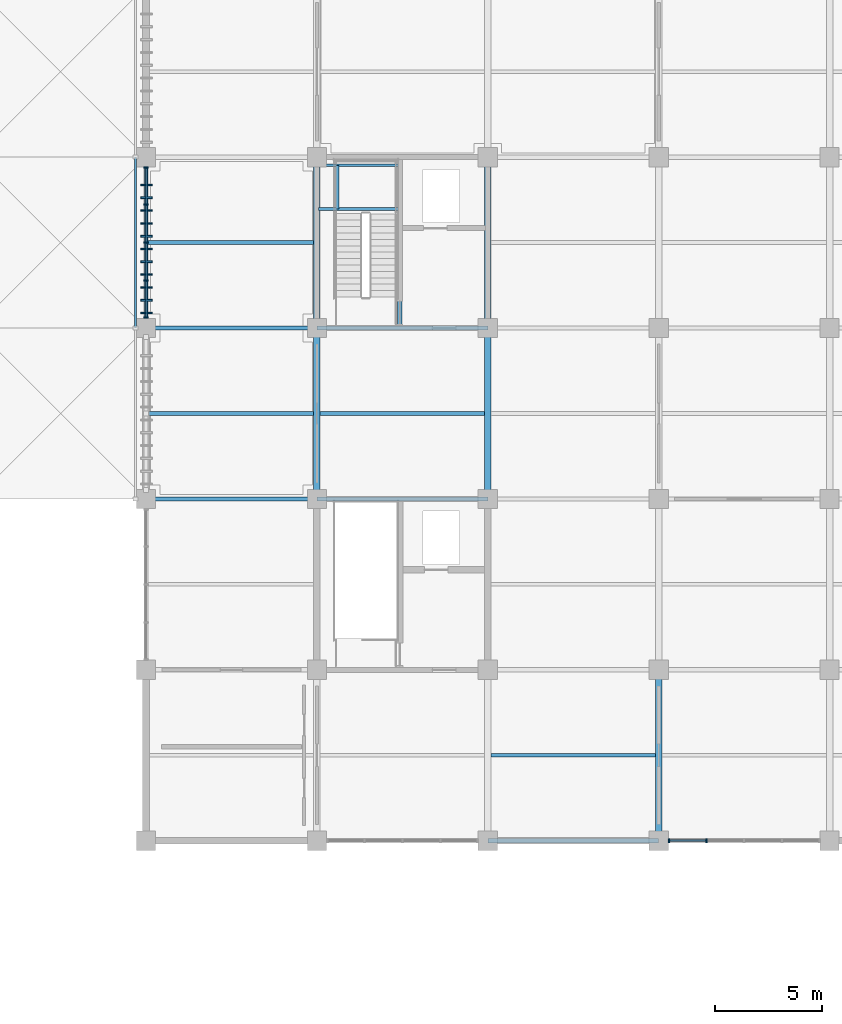
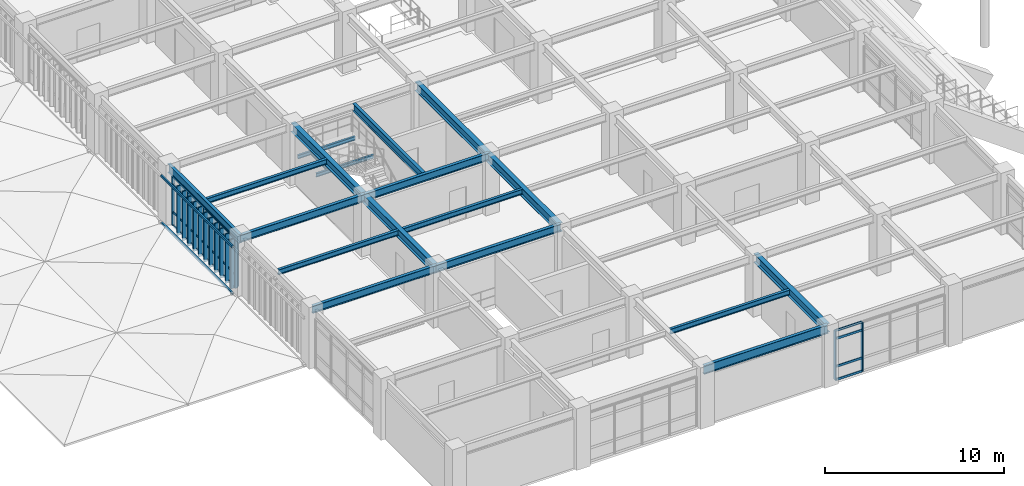
# One storey, part 18 of 118: 40 members, 19 beams, 2 elements without a shape of their own.
"""IFC4 building model written with IfcOpenShell, lengths in metres."""

from ifc_helpers import new_model, si_unit, direction, frame, origin, origin_2d, place, context, subcontext, project, spatial, rectangle, hollow_rectangle, i_section, extrude, material, layer, layer_set, material_profile, profile_set, type_object, element, aggregate, save


model = new_model("IFC4")

# Units and contexts
model_context = context("Model", 3, precision=1e-05, world=origin(), true_north=direction((0.0, 1.0)))
body_context = subcontext(model_context, "Body", "Model", "MODEL_VIEW")
ifc_project = project(units=[si_unit("LENGTHUNIT", "METRE"), si_unit("AREAUNIT", "SQUARE_METRE"), si_unit("VOLUMEUNIT", "CUBIC_METRE"), si_unit("PLANEANGLEUNIT", "RADIAN"), si_unit("MASSUNIT", "GRAM", prefix="KILO")], contexts=[model_context])

# Site, building, storey
site_placement = place(None, origin())
site = spatial("IfcSite", under=ifc_project, at=site_placement, CompositionType="ELEMENT")
building_placement = place(site_placement, origin())
building = spatial("IfcBuilding", under=site, at=building_placement, Name="Haebicheon Civic Stadium", CompositionType="ELEMENT")
storey_placement = place(building_placement, frame((0.0, 0.0, 14.39990234375)))
storey = spatial("IfcBuildingStorey", under=building, at=storey_placement, Name="L04", CompositionType="ELEMENT", Elevation=14.39990234375)

# Beams
ifc_material_1 = material(Name="Steel SM355 (S355)", Category="steel")
ifc_material_profile_1 = material_profile(ifc_material_1, i_section(OverallWidth=0.199951171875, OverallDepth=0.5, WebThickness=0.010009765625, FlangeThickness=0.01611328125, at=origin_2d()), Name="H-500x200x10x16")
ifc_profile_set_1 = profile_set([ifc_material_profile_1], Name="Steel SM355 (S355)")
beam_type_1 = type_object("IfcBeamType", Name="BM-ST-H500", PredefinedType="BEAM", material=ifc_profile_set_1)
for number, where, z_axis, x_axis, name in (
    (1, (24.0, 48.0, 3.690185546875), (1.0, 0.0, 0.0), (0.0, 1.0, 0.0), "L04 beam G/4-5"),
    (2, (24.0, 56.0, 3.690185546875), (1.0, 0.0, 0.0), (0.0, 1.0, 0.0), "L04 beam H/4-5"),
    (3, (32.0, 48.0, 3.690185546875), (1.0, 0.0, 0.0), (0.0, 1.0, 0.0), "L04 beam G/5-6"),
    (4, (32.0, 56.0, 3.690185546875), (1.0, 0.0, 0.0), (0.0, 1.0, 0.0), "L04 beam H/5-6"),
):
    element("IfcBeam", number, at=place(storey_placement, frame(where, z_axis=z_axis, x_axis=x_axis)), inside=storey, type_object=beam_type_1, material=ifc_profile_set_1, Name=name, PredefinedType="BEAM", context=body_context, shape_type="SweptSolid", body=[
        extrude(i_section(OverallWidth=0.199951171875, OverallDepth=0.5, WebThickness=0.010009765625, FlangeThickness=0.01611328125, at=origin_2d()), origin(), (0.0, 0.0, 1.0), 8.0),
    ])
beam_1_placement = place(storey_placement, frame((35.8798828125, 56.10009765625, 3.690185546875), z_axis=(0.0, 1.0, 0.0), x_axis=(-1.0, 0.0, 0.0)))
element("IfcBeam", 5, at=beam_1_placement, inside=storey, type_object=beam_type_1, material=ifc_profile_set_1, Name="L04 KC-02 core dividing wall support beam", PredefinedType="BEAM", context=body_context, shape_type="SweptSolid", body=[
    extrude(i_section(OverallWidth=0.199951171875, OverallDepth=0.5, WebThickness=0.010009765625, FlangeThickness=0.01611328125, at=origin_2d()), origin(), (0.0, 0.0, 1.0), 7.7998046875),
])
ifc_material_2 = material(Name="Steel SM355 (S355)", Category="steel")
ifc_material_profile_2 = material_profile(ifc_material_2, i_section(OverallWidth=0.300048828125, OverallDepth=0.60009765625, WebThickness=0.011962890625, FlangeThickness=0.02001953125, at=origin_2d()), Name="H-600x300x12x20")
ifc_profile_set_2 = profile_set([ifc_material_profile_2], Name="Steel SM355 (S355)")
beam_type_2 = type_object("IfcBeamType", Name="BM-ST-H600A", PredefinedType="BEAM", material=ifc_profile_set_2)
for number, where, z_axis, x_axis, name in (
    (6, (32.0, 48.0, 3.64013671875), (0.0, 1.0, 0.0), (-1.0, 0.0, 0.0), "L04 girder 5/G-H"),
    (7, (32.0, 56.0, 3.64013671875), (0.0, 1.0, 0.0), (-1.0, 0.0, 0.0), "L04 girder 5/H-J"),
    (8, (40.0, 48.0, 3.64013671875), (0.0, 1.0, 0.0), (-1.0, 0.0, 0.0), "L04 girder 6/G-H"),
    (9, (40.0, 56.0, 3.64013671875), (0.0, 1.0, 0.0), (-1.0, 0.0, 0.0), "L04 girder 6/H-J"),
    (10, (48.0, 32.0, 3.68017578125), (0.0, 1.0, 0.0), (-1.0, 0.0, 0.0), "L04 girder 7/E-F"),
):
    element("IfcBeam", number, at=place(storey_placement, frame(where, z_axis=z_axis, x_axis=x_axis)), inside=storey, type_object=beam_type_2, material=ifc_profile_set_2, Name=name, PredefinedType="BEAM", context=body_context, shape_type="SweptSolid", body=[
        extrude(i_section(OverallWidth=0.300048828125, OverallDepth=0.60009765625, WebThickness=0.011962890625, FlangeThickness=0.02001953125, at=origin_2d()), origin(), (0.0, 0.0, 1.0), 8.0),
    ])

# Curtain wall, members
ifc_material_3 = material(Name="Anodised aluminium and laminated glass", Category="aluminium")
ifc_layer_1 = layer(ifc_material_3, 0.179931640625, Name="Anodised aluminium and laminated glass")
ifc_layer_set_1 = layer_set([ifc_layer_1], Name="Anodised aluminium and laminated glass")
curtain_wall_type_1 = type_object("IfcCurtainWallType", Name="CW-7100x3330", PredefinedType="NOTDEFINED", material=ifc_layer_set_1)
curtain_wall_1_placement = place(storey_placement, origin())
curtain_wall_1 = element("IfcCurtainWall", 11, at=curtain_wall_1_placement, inside=storey, type_object=curtain_wall_type_1, material=ifc_layer_set_1, Name="L04 unitised curtain wall 106", PredefinedType="NOTDEFINED")
ifc_material_4 = material(Name="Anodised aluminium 6063-T6", Category="aluminium")
ifc_material_profile_3 = material_profile(ifc_material_4, rectangle(XDim=0.070068359375, YDim=0.199951171875, at=origin_2d()), Name="ALU-MULL-70x200")
ifc_profile_set_3 = profile_set([ifc_material_profile_3], Name="Anodised aluminium 6063-T6")
member_type_1 = type_object("IfcMemberType", Name="CWM-200x70", PredefinedType="MULLION", material=ifc_profile_set_3)
member_1_placement = place(storey_placement, frame((24.0, 56.485107421875, 0.0), z_axis=(0.0, 0.0, 1.0), x_axis=(0.0, 1.0, 0.0)))
member_1 = element("IfcMember", 12, at=member_1_placement, type_object=member_type_1, material=ifc_profile_set_3, Name="CW-L04-106 vertical mullion 1", PredefinedType="MULLION", context=body_context, shape_type="SweptSolid", body=[
    extrude(rectangle(XDim=0.070068359375, YDim=0.199951171875, at=origin_2d()), origin(), (0.0, 0.0, 1.0), 3.330078125),
])
member_2_placement = place(storey_placement, frame((24.0, 58.22509765625, 0.0), z_axis=(0.0, 0.0, 1.0), x_axis=(0.0, 1.0, 0.0)))
member_2 = element("IfcMember", 13, at=member_2_placement, type_object=member_type_1, material=ifc_profile_set_3, Name="CW-L04-106 vertical mullion 2", PredefinedType="MULLION", context=body_context, shape_type="SweptSolid", body=[
    extrude(rectangle(XDim=0.070068359375, YDim=0.199951171875, at=origin_2d()), origin(), (0.0, 0.0, 1.0), 3.330078125),
])
member_3_placement = place(storey_placement, frame((24.0, 60.0, 0.0), z_axis=(0.0, 0.0, 1.0), x_axis=(0.0, 1.0, 0.0)))
member_3 = element("IfcMember", 14, at=member_3_placement, type_object=member_type_1, material=ifc_profile_set_3, Name="CW-L04-106 vertical mullion 3", PredefinedType="MULLION", context=body_context, shape_type="SweptSolid", body=[
    extrude(rectangle(XDim=0.070068359375, YDim=0.199951171875, at=origin_2d()), origin(), (0.0, 0.0, 1.0), 3.330078125),
])
member_4_placement = place(storey_placement, frame((24.0, 61.77490234375, 0.0), z_axis=(0.0, 0.0, 1.0), x_axis=(0.0, 1.0, 0.0)))
member_4 = element("IfcMember", 15, at=member_4_placement, type_object=member_type_1, material=ifc_profile_set_3, Name="CW-L04-106 vertical mullion 4", PredefinedType="MULLION", context=body_context, shape_type="SweptSolid", body=[
    extrude(rectangle(XDim=0.070068359375, YDim=0.199951171875, at=origin_2d()), origin(), (0.0, 0.0, 1.0), 3.330078125),
])
member_5_placement = place(storey_placement, frame((24.0, 63.514892578125, 0.0), z_axis=(0.0, 0.0, 1.0), x_axis=(0.0, 1.0, 0.0)))
member_5 = element("IfcMember", 16, at=member_5_placement, type_object=member_type_1, material=ifc_profile_set_3, Name="CW-L04-106 vertical mullion 5", PredefinedType="MULLION", context=body_context, shape_type="SweptSolid", body=[
    extrude(rectangle(XDim=0.070068359375, YDim=0.199951171875, at=origin_2d()), origin(), (0.0, 0.0, 1.0), 3.330078125),
])

ifc_material_5 = material(Name="Anodised aluminium and laminated glass", Category="aluminium")
ifc_layer_2 = layer(ifc_material_5, 0.179931640625, Name="Anodised aluminium and laminated glass")
ifc_layer_set_2 = layer_set([ifc_layer_2], Name="Anodised aluminium and laminated glass")
curtain_wall_type_2 = type_object("IfcCurtainWallType", Name="CW-7100x3350", PredefinedType="NOTDEFINED", material=ifc_layer_set_2)
curtain_wall_2_placement = place(storey_placement, origin())
curtain_wall_2 = element("IfcCurtainWall", 17, at=curtain_wall_2_placement, inside=storey, type_object=curtain_wall_type_2, material=ifc_layer_set_2, Name="L04 unitised curtain wall 115", PredefinedType="NOTDEFINED")
member_6_placement = place(storey_placement, frame((48.485107421875, 32.0, 0.0), z_axis=(0.0, 0.0, 1.0), x_axis=(1.0, 0.0, 0.0)))
member_6 = element("IfcMember", 18, at=member_6_placement, type_object=member_type_1, material=ifc_profile_set_3, Name="CW-L04-115 vertical mullion 1", PredefinedType="MULLION", context=body_context, shape_type="SweptSolid", body=[
    extrude(rectangle(XDim=0.070068359375, YDim=0.199951171875, at=origin_2d()), origin(), (0.0, 0.0, 1.0), 3.35009765625),
])
member_7_placement = place(storey_placement, frame((50.22509765625, 32.0, 0.0), z_axis=(0.0, 0.0, 1.0), x_axis=(1.0, 0.0, 0.0)))
member_7 = element("IfcMember", 19, at=member_7_placement, type_object=member_type_1, material=ifc_profile_set_3, Name="CW-L04-115 vertical mullion 2", PredefinedType="MULLION", context=body_context, shape_type="SweptSolid", body=[
    extrude(rectangle(XDim=0.070068359375, YDim=0.199951171875, at=origin_2d()), origin(), (0.0, 0.0, 1.0), 3.35009765625),
])

# Member
ifc_material_6 = material(Name="Anodised aluminium 6063-T6", Category="aluminium")
ifc_material_profile_4 = material_profile(ifc_material_6, rectangle(XDim=0.070068359375, YDim=0.14990234375, at=origin_2d()), Name="ALU-TRAN-70x150")
ifc_profile_set_4 = profile_set([ifc_material_profile_4], Name="Anodised aluminium 6063-T6")
member_type_2 = type_object("IfcMemberType", Name="CWT-150x70", PredefinedType="NOTDEFINED", material=ifc_profile_set_4)
member_8_placement = place(storey_placement, frame((24.0, 56.52001953125, 0.0), z_axis=(0.0, 1.0, 0.0), x_axis=(-1.0, 0.0, 0.0)))
member_8 = element("IfcMember", 20, at=member_8_placement, type_object=member_type_2, material=ifc_profile_set_4, Name="CW-L04-106 horizontal transom 1.1", ObjectType="TRANSOM", PredefinedType="USERDEFINED", context=body_context, shape_type="SweptSolid", body=[
    extrude(rectangle(XDim=0.070068359375, YDim=0.14990234375, at=origin_2d()), origin(), (0.0, 0.0, 1.0), 1.669921875),
])

member_9_placement = place(storey_placement, frame((24.0, 56.52001953125, 0.900146484375), z_axis=(0.0, 1.0, 0.0), x_axis=(-1.0, 0.0, 0.0)))
member_9 = element("IfcMember", 21, at=member_9_placement, type_object=member_type_2, material=ifc_profile_set_4, Name="CW-L04-106 horizontal transom 1.2", ObjectType="TRANSOM", PredefinedType="USERDEFINED", context=body_context, shape_type="SweptSolid", body=[
    extrude(rectangle(XDim=0.070068359375, YDim=0.14990234375, at=origin_2d()), origin(), (0.0, 0.0, 1.0), 1.669921875),
])

member_10_placement = place(storey_placement, frame((24.0, 56.52001953125, 2.780029296875), z_axis=(0.0, 1.0, 0.0), x_axis=(-1.0, 0.0, 0.0)))
member_10 = element("IfcMember", 22, at=member_10_placement, type_object=member_type_2, material=ifc_profile_set_4, Name="CW-L04-106 horizontal transom 1.3", ObjectType="TRANSOM", PredefinedType="USERDEFINED", context=body_context, shape_type="SweptSolid", body=[
    extrude(rectangle(XDim=0.070068359375, YDim=0.14990234375, at=origin_2d()), origin(), (0.0, 0.0, 1.0), 1.669921875),
])

member_11_placement = place(storey_placement, frame((24.0, 56.52001953125, 3.330078125), z_axis=(0.0, 1.0, 0.0), x_axis=(-1.0, 0.0, 0.0)))
member_11 = element("IfcMember", 23, at=member_11_placement, type_object=member_type_2, material=ifc_profile_set_4, Name="CW-L04-106 horizontal transom 1.4", ObjectType="TRANSOM", PredefinedType="USERDEFINED", context=body_context, shape_type="SweptSolid", body=[
    extrude(rectangle(XDim=0.070068359375, YDim=0.14990234375, at=origin_2d()), origin(), (0.0, 0.0, 1.0), 1.669921875),
])

member_12_placement = place(storey_placement, frame((24.0, 58.260009765625, 0.0), z_axis=(0.0, 1.0, 0.0), x_axis=(-1.0, 0.0, 0.0)))
member_12 = element("IfcMember", 24, at=member_12_placement, type_object=member_type_2, material=ifc_profile_set_4, Name="CW-L04-106 horizontal transom 2.1", ObjectType="TRANSOM", PredefinedType="USERDEFINED", context=body_context, shape_type="SweptSolid", body=[
    extrude(rectangle(XDim=0.070068359375, YDim=0.14990234375, at=origin_2d()), origin(), (0.0, 0.0, 1.0), 1.705078125),
])

member_13_placement = place(storey_placement, frame((24.0, 58.260009765625, 0.900146484375), z_axis=(0.0, 1.0, 0.0), x_axis=(-1.0, 0.0, 0.0)))
member_13 = element("IfcMember", 25, at=member_13_placement, type_object=member_type_2, material=ifc_profile_set_4, Name="CW-L04-106 horizontal transom 2.2", ObjectType="TRANSOM", PredefinedType="USERDEFINED", context=body_context, shape_type="SweptSolid", body=[
    extrude(rectangle(XDim=0.070068359375, YDim=0.14990234375, at=origin_2d()), origin(), (0.0, 0.0, 1.0), 1.705078125),
])

member_14_placement = place(storey_placement, frame((24.0, 58.260009765625, 2.780029296875), z_axis=(0.0, 1.0, 0.0), x_axis=(-1.0, 0.0, 0.0)))
member_14 = element("IfcMember", 26, at=member_14_placement, type_object=member_type_2, material=ifc_profile_set_4, Name="CW-L04-106 horizontal transom 2.3", ObjectType="TRANSOM", PredefinedType="USERDEFINED", context=body_context, shape_type="SweptSolid", body=[
    extrude(rectangle(XDim=0.070068359375, YDim=0.14990234375, at=origin_2d()), origin(), (0.0, 0.0, 1.0), 1.705078125),
])

member_15_placement = place(storey_placement, frame((24.0, 58.260009765625, 3.330078125), z_axis=(0.0, 1.0, 0.0), x_axis=(-1.0, 0.0, 0.0)))
member_15 = element("IfcMember", 27, at=member_15_placement, type_object=member_type_2, material=ifc_profile_set_4, Name="CW-L04-106 horizontal transom 2.4", ObjectType="TRANSOM", PredefinedType="USERDEFINED", context=body_context, shape_type="SweptSolid", body=[
    extrude(rectangle(XDim=0.070068359375, YDim=0.14990234375, at=origin_2d()), origin(), (0.0, 0.0, 1.0), 1.705078125),
])

member_16_placement = place(storey_placement, frame((24.0, 60.034912109375, 0.0), z_axis=(0.0, 1.0, 0.0), x_axis=(-1.0, 0.0, 0.0)))
member_16 = element("IfcMember", 28, at=member_16_placement, type_object=member_type_2, material=ifc_profile_set_4, Name="CW-L04-106 horizontal transom 3.1", ObjectType="TRANSOM", PredefinedType="USERDEFINED", context=body_context, shape_type="SweptSolid", body=[
    extrude(rectangle(XDim=0.070068359375, YDim=0.14990234375, at=origin_2d()), origin(), (0.0, 0.0, 1.0), 1.705078125),
])

member_17_placement = place(storey_placement, frame((24.0, 60.034912109375, 0.900146484375), z_axis=(0.0, 1.0, 0.0), x_axis=(-1.0, 0.0, 0.0)))
member_17 = element("IfcMember", 29, at=member_17_placement, type_object=member_type_2, material=ifc_profile_set_4, Name="CW-L04-106 horizontal transom 3.2", ObjectType="TRANSOM", PredefinedType="USERDEFINED", context=body_context, shape_type="SweptSolid", body=[
    extrude(rectangle(XDim=0.070068359375, YDim=0.14990234375, at=origin_2d()), origin(), (0.0, 0.0, 1.0), 1.705078125),
])

member_18_placement = place(storey_placement, frame((24.0, 60.034912109375, 2.780029296875), z_axis=(0.0, 1.0, 0.0), x_axis=(-1.0, 0.0, 0.0)))
member_18 = element("IfcMember", 30, at=member_18_placement, type_object=member_type_2, material=ifc_profile_set_4, Name="CW-L04-106 horizontal transom 3.3", ObjectType="TRANSOM", PredefinedType="USERDEFINED", context=body_context, shape_type="SweptSolid", body=[
    extrude(rectangle(XDim=0.070068359375, YDim=0.14990234375, at=origin_2d()), origin(), (0.0, 0.0, 1.0), 1.705078125),
])

member_19_placement = place(storey_placement, frame((24.0, 60.034912109375, 3.330078125), z_axis=(0.0, 1.0, 0.0), x_axis=(-1.0, 0.0, 0.0)))
member_19 = element("IfcMember", 31, at=member_19_placement, type_object=member_type_2, material=ifc_profile_set_4, Name="CW-L04-106 horizontal transom 3.4", ObjectType="TRANSOM", PredefinedType="USERDEFINED", context=body_context, shape_type="SweptSolid", body=[
    extrude(rectangle(XDim=0.070068359375, YDim=0.14990234375, at=origin_2d()), origin(), (0.0, 0.0, 1.0), 1.705078125),
])

member_20_placement = place(storey_placement, frame((24.0, 61.81005859375, 0.0), z_axis=(0.0, 1.0, 0.0), x_axis=(-1.0, 0.0, 0.0)))
member_20 = element("IfcMember", 32, at=member_20_placement, type_object=member_type_2, material=ifc_profile_set_4, Name="CW-L04-106 horizontal transom 4.1", ObjectType="TRANSOM", PredefinedType="USERDEFINED", context=body_context, shape_type="SweptSolid", body=[
    extrude(rectangle(XDim=0.070068359375, YDim=0.14990234375, at=origin_2d()), origin(), (0.0, 0.0, 1.0), 1.669921875),
])

member_21_placement = place(storey_placement, frame((24.0, 61.81005859375, 0.900146484375), z_axis=(0.0, 1.0, 0.0), x_axis=(-1.0, 0.0, 0.0)))
member_21 = element("IfcMember", 33, at=member_21_placement, type_object=member_type_2, material=ifc_profile_set_4, Name="CW-L04-106 horizontal transom 4.2", ObjectType="TRANSOM", PredefinedType="USERDEFINED", context=body_context, shape_type="SweptSolid", body=[
    extrude(rectangle(XDim=0.070068359375, YDim=0.14990234375, at=origin_2d()), origin(), (0.0, 0.0, 1.0), 1.669921875),
])

member_22_placement = place(storey_placement, frame((24.0, 61.81005859375, 2.780029296875), z_axis=(0.0, 1.0, 0.0), x_axis=(-1.0, 0.0, 0.0)))
member_22 = element("IfcMember", 34, at=member_22_placement, type_object=member_type_2, material=ifc_profile_set_4, Name="CW-L04-106 horizontal transom 4.3", ObjectType="TRANSOM", PredefinedType="USERDEFINED", context=body_context, shape_type="SweptSolid", body=[
    extrude(rectangle(XDim=0.070068359375, YDim=0.14990234375, at=origin_2d()), origin(), (0.0, 0.0, 1.0), 1.669921875),
])

member_23_placement = place(storey_placement, frame((24.0, 61.81005859375, 3.330078125), z_axis=(0.0, 1.0, 0.0), x_axis=(-1.0, 0.0, 0.0)))
member_23 = element("IfcMember", 35, at=member_23_placement, type_object=member_type_2, material=ifc_profile_set_4, Name="CW-L04-106 horizontal transom 4.4", ObjectType="TRANSOM", PredefinedType="USERDEFINED", context=body_context, shape_type="SweptSolid", body=[
    extrude(rectangle(XDim=0.070068359375, YDim=0.14990234375, at=origin_2d()), origin(), (0.0, 0.0, 1.0), 1.669921875),
])

aggregate(curtain_wall_1, [member_1, member_2, member_3, member_4, member_5, member_8, member_9, member_10, member_11, member_12, member_13, member_14, member_15, member_16, member_17, member_18, member_19, member_20, member_21, member_22, member_23])

member_24_placement = place(storey_placement, frame((48.52001953125, 32.0, 0.0), z_axis=(1.0, 0.0, 0.0), x_axis=(0.0, 1.0, 0.0)))
member_24 = element("IfcMember", 36, at=member_24_placement, type_object=member_type_2, material=ifc_profile_set_4, Name="CW-L04-115 horizontal transom 1.1", ObjectType="TRANSOM", PredefinedType="USERDEFINED", context=body_context, shape_type="SweptSolid", body=[
    extrude(rectangle(XDim=0.070068359375, YDim=0.14990234375, at=origin_2d()), origin(), (0.0, 0.0, 1.0), 1.669921875),
])

member_25_placement = place(storey_placement, frame((48.52001953125, 32.0, 0.900146484375), z_axis=(1.0, 0.0, 0.0), x_axis=(0.0, 1.0, 0.0)))
member_25 = element("IfcMember", 37, at=member_25_placement, type_object=member_type_2, material=ifc_profile_set_4, Name="CW-L04-115 horizontal transom 1.2", ObjectType="TRANSOM", PredefinedType="USERDEFINED", context=body_context, shape_type="SweptSolid", body=[
    extrude(rectangle(XDim=0.070068359375, YDim=0.14990234375, at=origin_2d()), origin(), (0.0, 0.0, 1.0), 1.669921875),
])

member_26_placement = place(storey_placement, frame((48.52001953125, 32.0, 2.800048828125), z_axis=(1.0, 0.0, 0.0), x_axis=(0.0, 1.0, 0.0)))
member_26 = element("IfcMember", 38, at=member_26_placement, type_object=member_type_2, material=ifc_profile_set_4, Name="CW-L04-115 horizontal transom 1.3", ObjectType="TRANSOM", PredefinedType="USERDEFINED", context=body_context, shape_type="SweptSolid", body=[
    extrude(rectangle(XDim=0.070068359375, YDim=0.14990234375, at=origin_2d()), origin(), (0.0, 0.0, 1.0), 1.669921875),
])

member_27_placement = place(storey_placement, frame((48.52001953125, 32.0, 3.35009765625), z_axis=(1.0, 0.0, 0.0), x_axis=(0.0, 1.0, 0.0)))
member_27 = element("IfcMember", 39, at=member_27_placement, type_object=member_type_2, material=ifc_profile_set_4, Name="CW-L04-115 horizontal transom 1.4", ObjectType="TRANSOM", PredefinedType="USERDEFINED", context=body_context, shape_type="SweptSolid", body=[
    extrude(rectangle(XDim=0.070068359375, YDim=0.14990234375, at=origin_2d()), origin(), (0.0, 0.0, 1.0), 1.669921875),
])

aggregate(curtain_wall_2, [member_6, member_7, member_24, member_25, member_26, member_27])

# Beams
ifc_material_7 = material(Name="Steel SM355 (S355)", Category="steel")
ifc_material_profile_5 = material_profile(ifc_material_7, i_section(OverallWidth=0.125, OverallDepth=0.25, WebThickness=0.006103515625, FlangeThickness=0.009033203125, at=origin_2d()), Name="H-250x125x6x9")
ifc_profile_set_5 = profile_set([ifc_material_profile_5], Name="Steel SM355 (S355)")
beam_type_3 = type_object("IfcBeamType", Name="JST-ST-H250", PredefinedType="JOIST", material=ifc_profile_set_5)
for number, where, z_axis, x_axis, name in (
    (40, (32.080078125, 61.570068359375, 1.772216796875), (1.0, 0.0, 0.0), (0.0, 1.0, 0.0), "KC-02 L04 stair half-landing front trimmer beam"),
    (41, (32.080078125, 63.6201171875, 1.772216796875), (1.0, 0.0, 0.0), (0.0, 1.0, 0.0), "KC-02 L04 stair half-landing rear trimmer beam"),
):
    element("IfcBeam", number, at=place(storey_placement, frame(where, z_axis=z_axis, x_axis=x_axis)), inside=storey, type_object=beam_type_3, material=ifc_profile_set_5, Name=name, PredefinedType="JOIST", context=body_context, shape_type="SweptSolid", body=[
        extrude(i_section(OverallWidth=0.125, OverallDepth=0.25, WebThickness=0.006103515625, FlangeThickness=0.009033203125, at=origin_2d()), origin(), (0.0, 0.0, 1.0), 3.719970703125),
    ])
beam_2_placement = place(storey_placement, frame((32.9599609375, 61.570068359375, 1.772216796875), z_axis=(0.0, 1.0, 0.0), x_axis=(-1.0, 0.0, 0.0)))
element("IfcBeam", 42, at=beam_2_placement, inside=storey, type_object=beam_type_3, material=ifc_profile_set_5, Name="KC-02 L04 stair half-landing transverse tie beam", PredefinedType="JOIST", context=body_context, shape_type="SweptSolid", body=[
    extrude(i_section(OverallWidth=0.125, OverallDepth=0.25, WebThickness=0.006103515625, FlangeThickness=0.009033203125, at=origin_2d()), origin(), (0.0, 0.0, 1.0), 2.050048828125),
])
ifc_material_8 = material(Name="Steel SM355 (S355)", Category="steel")
ifc_material_profile_6 = material_profile(ifc_material_8, i_section(OverallWidth=0.175048828125, OverallDepth=0.35009765625, WebThickness=0.007080078125, FlangeThickness=0.010986328125, at=origin_2d()), Name="H-350x175x7x11")
ifc_profile_set_6 = profile_set([ifc_material_profile_6], Name="Steel SM355 (S355)")
beam_type_4 = type_object("IfcBeamType", Name="JST-ST-H350", PredefinedType="JOIST", material=ifc_profile_set_6)
for number, where, z_axis, x_axis, name in (
    (43, (24.10009765625, 52.0, 3.76513671875), (1.0, 0.0, 0.0), (0.0, 1.0, 0.0), "L04 secondary joist 03-06"),
    (44, (24.10009765625, 60.0, 3.76513671875), (1.0, 0.0, 0.0), (0.0, 1.0, 0.0), "L04 secondary joist 03-07"),
):
    element("IfcBeam", number, at=place(storey_placement, frame(where, z_axis=z_axis, x_axis=x_axis)), inside=storey, type_object=beam_type_4, material=ifc_profile_set_6, Name=name, PredefinedType="JOIST", context=body_context, shape_type="SweptSolid", body=[
        extrude(i_section(OverallWidth=0.175048828125, OverallDepth=0.35009765625, WebThickness=0.007080078125, FlangeThickness=0.010986328125, at=origin_2d()), origin(), (0.0, 0.0, 1.0), 7.75),
    ])
for number, where, z_axis, x_axis, name in (
    (45, (32.14990234375, 52.0, 3.76513671875), (1.0, 0.0, 0.0), (0.0, 1.0, 0.0), "L04 secondary joist 04-06"),
    (46, (40.14990234375, 36.0, 3.80517578125), (1.0, 0.0, 0.0), (0.0, 1.0, 0.0), "L04 secondary joist 05-04"),
):
    element("IfcBeam", number, at=place(storey_placement, frame(where, z_axis=z_axis, x_axis=x_axis)), inside=storey, type_object=beam_type_4, material=ifc_profile_set_6, Name=name, PredefinedType="JOIST", context=body_context, shape_type="SweptSolid", body=[
        extrude(i_section(OverallWidth=0.175048828125, OverallDepth=0.35009765625, WebThickness=0.007080078125, FlangeThickness=0.010986328125, at=origin_2d()), origin(), (0.0, 0.0, 1.0), 7.7001953125),
    ])

# Members
ifc_material_9 = material(Name="Acetylated timber GL28h", Category="wood")
ifc_material_profile_7 = material_profile(ifc_material_9, rectangle(XDim=0.080078125, YDim=0.52001953125, at=origin_2d()), Name="TMB-LOUV-80x520")
ifc_profile_set_7 = profile_set([ifc_material_profile_7], Name="Acetylated timber GL28h")
member_type_3 = type_object("IfcMemberType", Name="LVR-TIM-520x80", PredefinedType="PLATE", material=ifc_profile_set_7)
for number, where, z_axis, x_axis, name in (
    (47, (24.02001953125, 56.699951171875, -0.119873046875), (0.0, 0.0, 1.0), (0.0, 1.0, 0.0), "SCR-WEST L04 acetylated timber storm louvre fin 2.1"),
    (48, (24.02001953125, 57.300048828125, -0.119873046875), (0.0, 0.0, 1.0), (0.0, 1.0, 0.0), "SCR-WEST L04 acetylated timber storm louvre fin 2.2"),
    (49, (24.02001953125, 57.89990234375, -0.119873046875), (0.0, 0.0, 1.0), (0.0, 1.0, 0.0), "SCR-WEST L04 acetylated timber storm louvre fin 2.3"),
    (50, (24.02001953125, 58.5, -0.119873046875), (0.0, 0.0, 1.0), (0.0, 1.0, 0.0), "SCR-WEST L04 acetylated timber storm louvre fin 2.4"),
    (51, (24.02001953125, 59.10009765625, -0.119873046875), (0.0, 0.0, 1.0), (0.0, 1.0, 0.0), "SCR-WEST L04 acetylated timber storm louvre fin 2.5"),
    (52, (24.02001953125, 59.699951171875, -0.119873046875), (0.0, 0.0, 1.0), (0.0, 1.0, 0.0), "SCR-WEST L04 acetylated timber storm louvre fin 2.6"),
    (53, (24.02001953125, 60.300048828125, -0.119873046875), (0.0, 0.0, 1.0), (0.0, 1.0, 0.0), "SCR-WEST L04 acetylated timber storm louvre fin 2.7"),
    (54, (24.02001953125, 60.89990234375, -0.119873046875), (0.0, 0.0, 1.0), (0.0, 1.0, 0.0), "SCR-WEST L04 acetylated timber storm louvre fin 2.8"),
    (55, (24.02001953125, 61.5, -0.119873046875), (0.0, 0.0, 1.0), (0.0, 1.0, 0.0), "SCR-WEST L04 acetylated timber storm louvre fin 2.9"),
    (56, (24.02001953125, 62.10009765625, -0.119873046875), (0.0, 0.0, 1.0), (0.0, 1.0, 0.0), "SCR-WEST L04 acetylated timber storm louvre fin 2.10"),
    (57, (24.02001953125, 62.699951171875, -0.119873046875), (0.0, 0.0, 1.0), (0.0, 1.0, 0.0), "SCR-WEST L04 acetylated timber storm louvre fin 2.11"),
):
    element("IfcMember", number, at=place(storey_placement, frame(where, z_axis=z_axis, x_axis=x_axis)), inside=storey, type_object=member_type_3, material=ifc_profile_set_7, Name=name, PredefinedType="PLATE", context=body_context, shape_type="SweptSolid", body=[
        extrude(rectangle(XDim=0.080078125, YDim=0.52001953125, at=origin_2d()), origin(), (0.0, 0.0, 1.0), 3.369873046875),
    ])

# Beams
ifc_material_10 = material(Name="Steel SM355 (S355)", Category="steel")
ifc_material_profile_8 = material_profile(ifc_material_10, i_section(OverallWidth=0.199951171875, OverallDepth=0.60009765625, WebThickness=0.010986328125, FlangeThickness=0.01708984375, at=origin_2d()), Name="H-600x200x11x17")
ifc_profile_set_8 = profile_set([ifc_material_profile_8], Name="Steel SM355 (S355)")
beam_type_5 = type_object("IfcBeamType", Name="SPD-ST-H600B", PredefinedType="SPANDREL", material=ifc_profile_set_8)
for number, where, z_axis, x_axis, name in (
    (58, (24.0, 56.0, 3.64013671875), (0.0, 1.0, 0.0), (-1.0, 0.0, 0.0), "L04 girder 4/H-J"),
    (59, (40.0, 32.0, 3.68017578125), (1.0, 0.0, 0.0), (0.0, 1.0, 0.0), "L04 beam E/6-7"),
):
    element("IfcBeam", number, at=place(storey_placement, frame(where, z_axis=z_axis, x_axis=x_axis)), inside=storey, type_object=beam_type_5, material=ifc_profile_set_8, Name=name, PredefinedType="SPANDREL", context=body_context, shape_type="SweptSolid", body=[
        extrude(i_section(OverallWidth=0.199951171875, OverallDepth=0.60009765625, WebThickness=0.010986328125, FlangeThickness=0.01708984375, at=origin_2d()), origin(), (0.0, 0.0, 1.0), 8.0),
    ])

# Members
ifc_material_11 = material(Name="Steel SM355 (S355)", Category="steel")
ifc_material_profile_9 = material_profile(ifc_material_11, hollow_rectangle(XDim=0.10009765625, YDim=0.14990234375, WallThickness=0.006103515625, at=origin_2d()), Name="RHS-150x100x6.0")
ifc_profile_set_9 = profile_set([ifc_material_profile_9], Name="Steel SM355 (S355)")
member_type_4 = type_object("IfcMemberType", Name="SUB-RHS150", PredefinedType="STRINGER", material=ifc_profile_set_9)
for number, where, z_axis, x_axis, name in (
    (60, (23.510009765625, 56.0, 0.06005859375), (0.0, 1.0, 0.0), (-1.0, 0.0, 0.0), "SCR-WEST L04 storm-louvre bottom carrier rail 2"),
    (61, (23.510009765625, 56.0, 3.25), (0.0, 1.0, 0.0), (-1.0, 0.0, 0.0), "SCR-WEST L04 storm-louvre top carrier rail 2"),
):
    element("IfcMember", number, at=place(storey_placement, frame(where, z_axis=z_axis, x_axis=x_axis)), inside=storey, type_object=member_type_4, material=ifc_profile_set_9, Name=name, PredefinedType="STRINGER", context=body_context, shape_type="SweptSolid", body=[
        extrude(hollow_rectangle(XDim=0.10009765625, YDim=0.14990234375, WallThickness=0.006103515625, at=origin_2d()), origin(), (0.0, 0.0, 1.0), 8.0),
    ])

save(model, "model.ifc")
